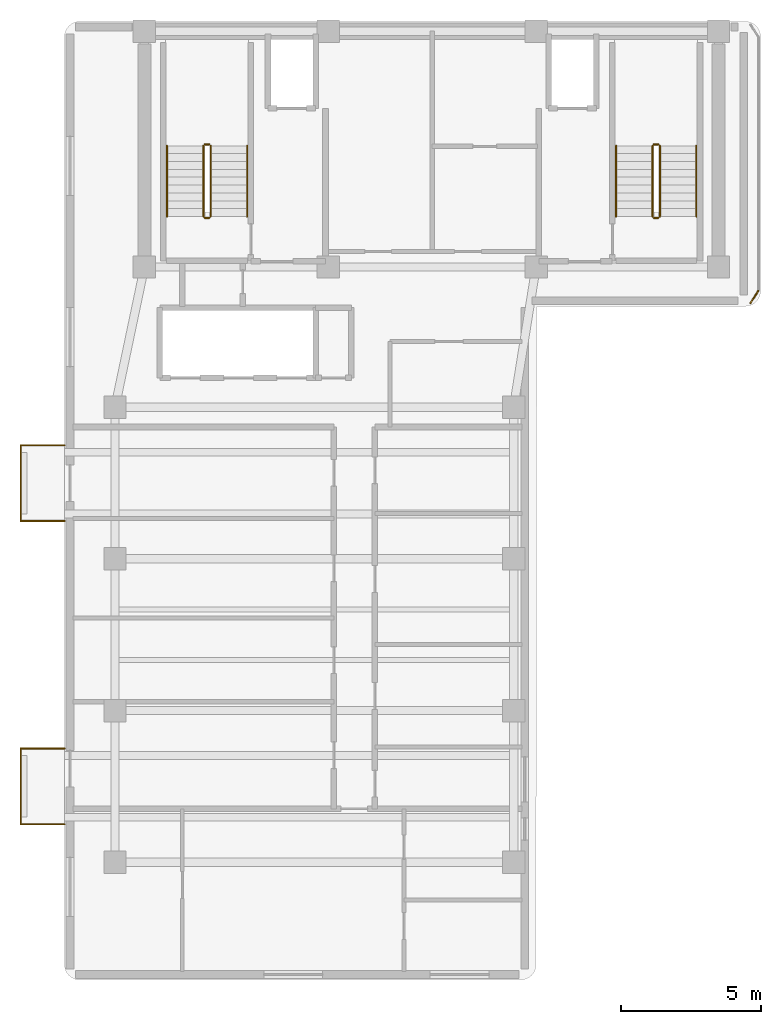
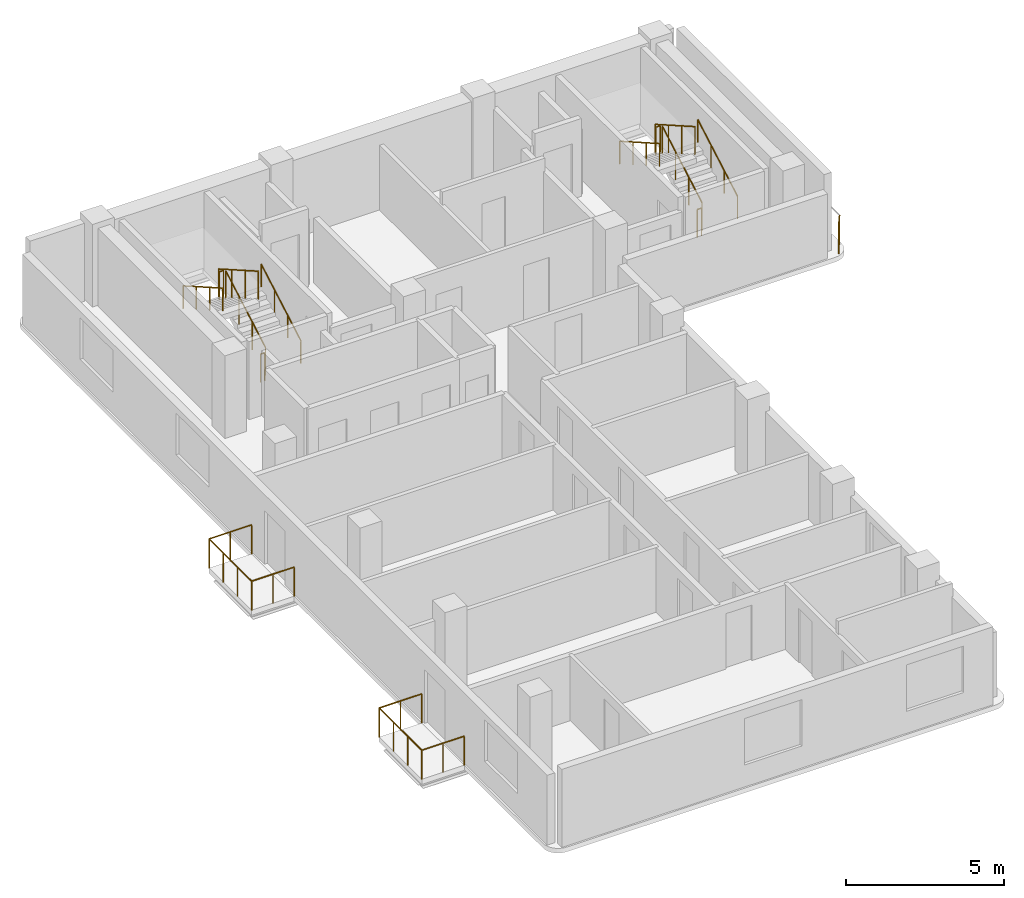
# One storey, part 4 of 5: 19 railings.
"""IFC4 building model written with IfcOpenShell, lengths in metres."""

from ifc_helpers import new_model, si_unit, direction, frame, origin, origin_2d, place, context, subcontext, project, spatial, circle, extrude, material, layer, layer_set, type_object, element, save


model = new_model("IFC4")

# Units and contexts
model_context = context("Model", 3, precision=1e-05, world=origin(), true_north=direction((0.0, 1.0)))
body_context = subcontext(model_context, "Body", "Model", "MODEL_VIEW")
ifc_project = project(units=[si_unit("LENGTHUNIT", "METRE"), si_unit("AREAUNIT", "SQUARE_METRE"), si_unit("VOLUMEUNIT", "CUBIC_METRE"), si_unit("PLANEANGLEUNIT", "RADIAN"), si_unit("MASSUNIT", "GRAM", prefix="KILO")], contexts=[model_context])

# Site, building, storey
site_placement = place(None, origin())
site = spatial("IfcSite", under=ifc_project, at=site_placement, CompositionType="ELEMENT")
building_placement = place(site_placement, origin())
building = spatial("IfcBuilding", under=site, at=building_placement, Name="Kuzgunbayir Cultural Tower", CompositionType="ELEMENT")
storey_placement = place(building_placement, frame((0.0, 0.0, 228.0)))
storey = spatial("IfcBuildingStorey", under=building, at=storey_placement, Name="L67", CompositionType="ELEMENT", Elevation=228.0)

# Railings
ifc_material_1 = material(Name="Laminated Glass and Stainless Steel", Category="steel")
ifc_layer_1 = layer(ifc_material_1, 0.080078125)
ifc_layer_set_1 = layer_set([ifc_layer_1], Name="Laminated Glass and Stainless Steel")
railing_type_1 = type_object("IfcRailingType", Name="RLG-BAL-115", PredefinedType="BALUSTRADE", material=ifc_layer_set_1)
railing_1_placement = place(storey_placement, frame((3.60009765625, 13.949951171875, 0.0)))
element("IfcRailing", 1, at=railing_1_placement, inside=storey, type_object=railing_type_1, Name="L67 Balcony Guard BAL-L67-WA1 Segment 1", PredefinedType="BALUSTRADE", context=body_context, shape_type="SweptSolid", body=[
    extrude(circle(Radius=0.02392578125, at=origin_2d()), frame((0.0, 0.0, 1.1259765625), z_axis=(-1.0, 0.0, 0.0), x_axis=(0.0, -1.0, 0.0)), (0.0, 0.0, 1.0), 1.56005859375),
    extrude(circle(Radius=0.02099609375, at=origin_2d()), origin(), (0.0, 0.0, 1.0), 1.101806640625),
    extrude(circle(Radius=0.02099609375, at=origin_2d()), frame((-0.780029296875, 0.0, 0.0)), (0.0, 0.0, 1.0), 1.101806640625),
    extrude(circle(Radius=0.02099609375, at=origin_2d()), frame((-1.56005859375, 0.0, 0.0)), (0.0, 0.0, 1.0), 1.101806640625),
])
railing_2_placement = place(storey_placement, frame((2.0400390625, 13.949951171875, 0.0)))
element("IfcRailing", 2, at=railing_2_placement, inside=storey, type_object=railing_type_1, Name="L67 Balcony Guard BAL-L67-WA1 Segment 2", PredefinedType="BALUSTRADE", context=body_context, shape_type="SweptSolid", body=[
    extrude(circle(Radius=0.02392578125, at=origin_2d()), frame((0.0, 0.0, 1.1259765625), z_axis=(0.0, 1.0, 0.0), x_axis=(-1.0, 0.0, 0.0)), (0.0, 0.0, 1.0), 2.699951171875),
    extrude(circle(Radius=0.02099609375, at=origin_2d()), origin(), (0.0, 0.0, 1.0), 1.101806640625),
    extrude(circle(Radius=0.02099609375, at=origin_2d()), frame((0.0, 0.89990234375, 0.0)), (0.0, 0.0, 1.0), 1.101806640625),
    extrude(circle(Radius=0.02099609375, at=origin_2d()), frame((0.0, 1.800048828125, 0.0)), (0.0, 0.0, 1.0), 1.101806640625),
    extrude(circle(Radius=0.02099609375, at=origin_2d()), frame((0.0, 2.699951171875, 0.0)), (0.0, 0.0, 1.0), 1.101806640625),
])
railing_3_placement = place(storey_placement, frame((2.0400390625, 16.64990234375, 0.0)))
element("IfcRailing", 3, at=railing_3_placement, inside=storey, type_object=railing_type_1, Name="L67 Balcony Guard BAL-L67-WA1 Segment 3", PredefinedType="BALUSTRADE", context=body_context, shape_type="SweptSolid", body=[
    extrude(circle(Radius=0.02392578125, at=origin_2d()), frame((0.0, 0.0, 1.1259765625), z_axis=(1.0, 0.0, 0.0), x_axis=(0.0, 1.0, 0.0)), (0.0, 0.0, 1.0), 1.56005859375),
    extrude(circle(Radius=0.02099609375, at=origin_2d()), origin(), (0.0, 0.0, 1.0), 1.101806640625),
    extrude(circle(Radius=0.02099609375, at=origin_2d()), frame((0.780029296875, 0.0, 0.0)), (0.0, 0.0, 1.0), 1.101806640625),
    extrude(circle(Radius=0.02099609375, at=origin_2d()), frame((1.56005859375, 0.0, 0.0)), (0.0, 0.0, 1.0), 1.101806640625),
])
railing_4_placement = place(storey_placement, frame((3.60009765625, 24.75, 0.0)))
element("IfcRailing", 4, at=railing_4_placement, inside=storey, type_object=railing_type_1, Name="L67 Balcony Guard BAL-L67-WA3 Segment 1", PredefinedType="BALUSTRADE", context=body_context, shape_type="SweptSolid", body=[
    extrude(circle(Radius=0.02392578125, at=origin_2d()), frame((0.0, 0.0, 1.1259765625), z_axis=(-1.0, 0.0, 0.0), x_axis=(0.0, -1.0, 0.0)), (0.0, 0.0, 1.0), 1.56005859375),
    extrude(circle(Radius=0.02099609375, at=origin_2d()), origin(), (0.0, 0.0, 1.0), 1.101806640625),
    extrude(circle(Radius=0.02099609375, at=origin_2d()), frame((-0.780029296875, 0.0, 0.0)), (0.0, 0.0, 1.0), 1.101806640625),
    extrude(circle(Radius=0.02099609375, at=origin_2d()), frame((-1.56005859375, 0.0, 0.0)), (0.0, 0.0, 1.0), 1.101806640625),
])
railing_5_placement = place(storey_placement, frame((2.0400390625, 24.75, 0.0)))
element("IfcRailing", 5, at=railing_5_placement, inside=storey, type_object=railing_type_1, Name="L67 Balcony Guard BAL-L67-WA3 Segment 2", PredefinedType="BALUSTRADE", context=body_context, shape_type="SweptSolid", body=[
    extrude(circle(Radius=0.02392578125, at=origin_2d()), frame((0.0, 0.0, 1.1259765625), z_axis=(0.0, 1.0, 0.0), x_axis=(-1.0, 0.0, 0.0)), (0.0, 0.0, 1.0), 2.699951171875),
    extrude(circle(Radius=0.02099609375, at=origin_2d()), origin(), (0.0, 0.0, 1.0), 1.101806640625),
    extrude(circle(Radius=0.02099609375, at=origin_2d()), frame((0.0, 0.89990234375, 0.0)), (0.0, 0.0, 1.0), 1.101806640625),
    extrude(circle(Radius=0.02099609375, at=origin_2d()), frame((0.0, 1.800048828125, 0.0)), (0.0, 0.0, 1.0), 1.101806640625),
    extrude(circle(Radius=0.02099609375, at=origin_2d()), frame((0.0, 2.699951171875, 0.0)), (0.0, 0.0, 1.0), 1.101806640625),
])
railing_6_placement = place(storey_placement, frame((2.0400390625, 27.449951171875, 0.0)))
element("IfcRailing", 6, at=railing_6_placement, inside=storey, type_object=railing_type_1, Name="L67 Balcony Guard BAL-L67-WA3 Segment 3", PredefinedType="BALUSTRADE", context=body_context, shape_type="SweptSolid", body=[
    extrude(circle(Radius=0.02392578125, at=origin_2d()), frame((0.0, 0.0, 1.1259765625), z_axis=(1.0, 0.0, 0.0), x_axis=(0.0, 1.0, 0.0)), (0.0, 0.0, 1.0), 1.56005859375),
    extrude(circle(Radius=0.02099609375, at=origin_2d()), origin(), (0.0, 0.0, 1.0), 1.101806640625),
    extrude(circle(Radius=0.02099609375, at=origin_2d()), frame((0.780029296875, 0.0, 0.0)), (0.0, 0.0, 1.0), 1.101806640625),
    extrude(circle(Radius=0.02099609375, at=origin_2d()), frame((1.56005859375, 0.0, 0.0)), (0.0, 0.0, 1.0), 1.101806640625),
])
railing_7_placement = place(storey_placement, frame((28.320068359375, 32.949951171875, 0.0)))
element("IfcRailing", 7, at=railing_7_placement, inside=storey, type_object=railing_type_1, Name="L67 Perimeter Edge Guard 3", PredefinedType="BALUSTRADE", context=body_context, shape_type="SweptSolid", body=[
    extrude(circle(Radius=0.02392578125, at=origin_2d()), frame((0.0, 0.0, 1.1259765625), z_axis=(-0.545774188207, -0.837932297675, 0.0), x_axis=(0.837932297675, -0.545774188207, 0.0)), (0.0, 0.0, 1.0), 0.51318359375),
    extrude(circle(Radius=0.02099609375, at=origin_2d()), origin(), (0.0, 0.0, 1.0), 1.101806640625),
    extrude(circle(Radius=0.02099609375, at=origin_2d()), frame((-0.280029296875, -0.429931640625, 0.0)), (0.0, 0.0, 1.0), 1.101806640625),
])
ifc_material_2 = material(Name="Brushed Stainless Steel", Category="steel")
ifc_layer_2 = layer(ifc_material_2, 0.050048828125)
ifc_layer_set_2 = layer_set([ifc_layer_2], Name="Brushed Stainless Steel")
railing_type_2 = type_object("IfcRailingType", Name="RLG-STAIR-HANDRAIL", PredefinedType="HANDRAIL", material=ifc_layer_set_2)
railing_8_placement = place(storey_placement, frame((10.110107421875, 35.60009765625, 0.159912109375)))
element("IfcRailing", 8, at=railing_8_placement, inside=storey, type_object=railing_type_2, Name="L67 ST-1 stair handrail 1", PredefinedType="HANDRAIL", context=body_context, shape_type="SweptSolid", body=[
    extrude(circle(Radius=0.02392578125, at=origin_2d()), frame((0.0, 0.0, 0.8759765625), z_axis=(0.0, 0.868217259934, 0.496184229447), x_axis=(-1.0, 0.0, 0.0)), (0.0, 0.0, 1.0), 2.902587890625),
    extrude(circle(Radius=0.02099609375, at=origin_2d()), origin(), (0.0, 0.0, 1.0), 0.851806640625),
    extrude(circle(Radius=0.02099609375, at=origin_2d()), frame((0.0, 0.840087890625, 0.47998046875)), (0.0, 0.0, 1.0), 0.851806640625),
    extrude(circle(Radius=0.02099609375, at=origin_2d()), frame((0.0, 1.679931640625, 0.960205078125)), (0.0, 0.0, 1.0), 0.851806640625),
    extrude(circle(Radius=0.02099609375, at=origin_2d()), frame((0.0, 2.52001953125, 1.440185546875)), (0.0, 0.0, 1.0), 0.851806640625),
])
railing_9_placement = place(storey_placement, frame((7.25, 38.1201171875, 1.760009765625)))
element("IfcRailing", 9, at=railing_9_placement, inside=storey, type_object=railing_type_2, Name="L67 ST-1 stair handrail 2", PredefinedType="HANDRAIL", context=body_context, shape_type="SweptSolid", body=[
    extrude(circle(Radius=0.02392578125, at=origin_2d()), frame((0.0, 0.0, 0.8759765625), z_axis=(0.0, -0.868253494771, 0.496120820787), x_axis=(1.0, 0.0, 0.0)), (0.0, 0.0, 1.0), 2.90234375),
    extrude(circle(Radius=0.02099609375, at=origin_2d()), origin(), (0.0, 0.0, 1.0), 0.851806640625),
    extrude(circle(Radius=0.02099609375, at=origin_2d()), frame((0.0, -0.840087890625, 0.47998046875)), (0.0, 0.0, 1.0), 0.851806640625),
    extrude(circle(Radius=0.02099609375, at=origin_2d()), frame((0.0, -1.679931640625, 0.9599609375)), (0.0, 0.0, 1.0), 0.851806640625),
    extrude(circle(Radius=0.02099609375, at=origin_2d()), frame((0.0, -2.52001953125, 1.43994140625)), (0.0, 0.0, 1.0), 0.851806640625),
])
railing_10_placement = place(storey_placement, frame((26.110107421875, 35.60009765625, 0.159912109375)))
element("IfcRailing", 10, at=railing_10_placement, inside=storey, type_object=railing_type_2, Name="L67 ST-2 stair handrail 1", PredefinedType="HANDRAIL", context=body_context, shape_type="SweptSolid", body=[
    extrude(circle(Radius=0.02392578125, at=origin_2d()), frame((0.0, 0.0, 0.8759765625), z_axis=(0.0, 0.868217259934, 0.496184229447), x_axis=(-1.0, 0.0, 0.0)), (0.0, 0.0, 1.0), 2.902587890625),
    extrude(circle(Radius=0.02099609375, at=origin_2d()), origin(), (0.0, 0.0, 1.0), 0.851806640625),
    extrude(circle(Radius=0.02099609375, at=origin_2d()), frame((0.0, 0.840087890625, 0.47998046875)), (0.0, 0.0, 1.0), 0.851806640625),
    extrude(circle(Radius=0.02099609375, at=origin_2d()), frame((0.0, 1.679931640625, 0.960205078125)), (0.0, 0.0, 1.0), 0.851806640625),
    extrude(circle(Radius=0.02099609375, at=origin_2d()), frame((0.0, 2.52001953125, 1.440185546875)), (0.0, 0.0, 1.0), 0.851806640625),
])
railing_11_placement = place(storey_placement, frame((23.25, 38.1201171875, 1.760009765625)))
element("IfcRailing", 11, at=railing_11_placement, inside=storey, type_object=railing_type_2, Name="L67 ST-2 stair handrail 2", PredefinedType="HANDRAIL", context=body_context, shape_type="SweptSolid", body=[
    extrude(circle(Radius=0.02392578125, at=origin_2d()), frame((0.0, 0.0, 0.8759765625), z_axis=(0.0, -0.868253494771, 0.496120820787), x_axis=(1.0, 0.0, 0.0)), (0.0, 0.0, 1.0), 2.90234375),
    extrude(circle(Radius=0.02099609375, at=origin_2d()), origin(), (0.0, 0.0, 1.0), 0.851806640625),
    extrude(circle(Radius=0.02099609375, at=origin_2d()), frame((0.0, -0.840087890625, 0.47998046875)), (0.0, 0.0, 1.0), 0.851806640625),
    extrude(circle(Radius=0.02099609375, at=origin_2d()), frame((0.0, -1.679931640625, 0.9599609375)), (0.0, 0.0, 1.0), 0.851806640625),
    extrude(circle(Radius=0.02099609375, at=origin_2d()), frame((0.0, -2.52001953125, 1.43994140625)), (0.0, 0.0, 1.0), 0.851806640625),
])
ifc_material_3 = material(Name="Painted Steel Balustrade", Category="steel")
ifc_layer_3 = layer(ifc_material_3, 0.06005859375)
ifc_layer_set_3 = layer_set([ifc_layer_3], Name="Painted Steel Balustrade")
railing_type_3 = type_object("IfcRailingType", Name="RLG-WELL-GUARD", PredefinedType="GUARDRAIL", material=ifc_layer_set_3)
railing_12_placement = place(storey_placement, frame((8.81005859375, 35.60009765625, 0.159912109375)))
element("IfcRailing", 12, at=railing_12_placement, inside=storey, type_object=railing_type_3, Name="L67 ST-1 stair guard 1", PredefinedType="GUARDRAIL", context=body_context, shape_type="SweptSolid", body=[
    extrude(circle(Radius=0.02392578125, at=origin_2d()), frame((0.0, 0.0, 1.076171875), z_axis=(0.0, 0.868217259934, 0.496184229447), x_axis=(-1.0, 0.0, 0.0)), (0.0, 0.0, 1.0), 2.902587890625),
    extrude(circle(Radius=0.02099609375, at=origin_2d()), origin(), (0.0, 0.0, 1.0), 1.052001953125),
    extrude(circle(Radius=0.02099609375, at=origin_2d()), frame((0.0, 0.840087890625, 0.47998046875)), (0.0, 0.0, 1.0), 1.052001953125),
    extrude(circle(Radius=0.02099609375, at=origin_2d()), frame((0.0, 1.679931640625, 0.960205078125)), (0.0, 0.0, 1.0), 1.052001953125),
    extrude(circle(Radius=0.02099609375, at=origin_2d()), frame((0.0, 2.52001953125, 1.440185546875)), (0.0, 0.0, 1.0), 1.052001953125),
])
railing_13_placement = place(storey_placement, frame((8.760009765625, 38.169921875, 1.60009765625)))
element("IfcRailing", 13, at=railing_13_placement, inside=storey, type_object=railing_type_3, Name="L67 ST-1 stair guard 2", PredefinedType="GUARDRAIL", context=body_context, shape_type="SweptSolid", body=[
    extrude(circle(Radius=0.02392578125, at=origin_2d()), frame((0.0, 0.0, 1.076171875), z_axis=(-1.0, 0.0, 0.0), x_axis=(0.0, -1.0, 0.0)), (0.0, 0.0, 1.0), 0.159912109375),
    extrude(circle(Radius=0.02099609375, at=origin_2d()), origin(), (0.0, 0.0, 1.0), 1.052001953125),
    extrude(circle(Radius=0.02099609375, at=origin_2d()), frame((-0.159912109375, 0.0, 0.0)), (0.0, 0.0, 1.0), 1.052001953125),
])
railing_14_placement = place(storey_placement, frame((8.550048828125, 38.1201171875, 1.760009765625)))
element("IfcRailing", 14, at=railing_14_placement, inside=storey, type_object=railing_type_3, Name="L67 ST-1 stair guard 3", PredefinedType="GUARDRAIL", context=body_context, shape_type="SweptSolid", body=[
    extrude(circle(Radius=0.02392578125, at=origin_2d()), frame((0.0, 0.0, 1.076171875), z_axis=(0.0, -0.868253494771, 0.496120820787), x_axis=(1.0, 0.0, 0.0)), (0.0, 0.0, 1.0), 2.90234375),
    extrude(circle(Radius=0.02099609375, at=origin_2d()), origin(), (0.0, 0.0, 1.0), 1.052001953125),
    extrude(circle(Radius=0.02099609375, at=origin_2d()), frame((0.0, -0.840087890625, 0.47998046875)), (0.0, 0.0, 1.0), 1.052001953125),
    extrude(circle(Radius=0.02099609375, at=origin_2d()), frame((0.0, -1.679931640625, 0.9599609375)), (0.0, 0.0, 1.0), 1.052001953125),
    extrude(circle(Radius=0.02099609375, at=origin_2d()), frame((0.0, -2.52001953125, 1.43994140625)), (0.0, 0.0, 1.0), 1.052001953125),
])
railing_15_placement = place(storey_placement, frame((8.760009765625, 35.550048828125, 0.0)))
element("IfcRailing", 15, at=railing_15_placement, inside=storey, type_object=railing_type_3, Name="L67 ST-1 stair guard 4", PredefinedType="GUARDRAIL", context=body_context, shape_type="SweptSolid", body=[
    extrude(circle(Radius=0.02392578125, at=origin_2d()), frame((0.0, 0.0, 1.076171875), z_axis=(-1.0, 0.0, 0.0), x_axis=(0.0, -1.0, 0.0)), (0.0, 0.0, 1.0), 0.159912109375),
    extrude(circle(Radius=0.02099609375, at=origin_2d()), origin(), (0.0, 0.0, 1.0), 1.052001953125),
    extrude(circle(Radius=0.02099609375, at=origin_2d()), frame((-0.159912109375, 0.0, 0.0)), (0.0, 0.0, 1.0), 1.052001953125),
])
railing_16_placement = place(storey_placement, frame((24.81005859375, 35.60009765625, 0.159912109375)))
element("IfcRailing", 16, at=railing_16_placement, inside=storey, type_object=railing_type_3, Name="L67 ST-2 stair guard 1", PredefinedType="GUARDRAIL", context=body_context, shape_type="SweptSolid", body=[
    extrude(circle(Radius=0.02392578125, at=origin_2d()), frame((0.0, 0.0, 1.076171875), z_axis=(0.0, 0.868217259934, 0.496184229447), x_axis=(-1.0, 0.0, 0.0)), (0.0, 0.0, 1.0), 2.902587890625),
    extrude(circle(Radius=0.02099609375, at=origin_2d()), origin(), (0.0, 0.0, 1.0), 1.052001953125),
    extrude(circle(Radius=0.02099609375, at=origin_2d()), frame((0.0, 0.840087890625, 0.47998046875)), (0.0, 0.0, 1.0), 1.052001953125),
    extrude(circle(Radius=0.02099609375, at=origin_2d()), frame((0.0, 1.679931640625, 0.960205078125)), (0.0, 0.0, 1.0), 1.052001953125),
    extrude(circle(Radius=0.02099609375, at=origin_2d()), frame((0.0, 2.52001953125, 1.440185546875)), (0.0, 0.0, 1.0), 1.052001953125),
])
railing_17_placement = place(storey_placement, frame((24.760009765625, 38.169921875, 1.60009765625)))
element("IfcRailing", 17, at=railing_17_placement, inside=storey, type_object=railing_type_3, Name="L67 ST-2 stair guard 2", PredefinedType="GUARDRAIL", context=body_context, shape_type="SweptSolid", body=[
    extrude(circle(Radius=0.02392578125, at=origin_2d()), frame((0.0, 0.0, 1.076171875), z_axis=(-1.0, 0.0, 0.0), x_axis=(0.0, -1.0, 0.0)), (0.0, 0.0, 1.0), 0.159912109375),
    extrude(circle(Radius=0.02099609375, at=origin_2d()), origin(), (0.0, 0.0, 1.0), 1.052001953125),
    extrude(circle(Radius=0.02099609375, at=origin_2d()), frame((-0.159912109375, 0.0, 0.0)), (0.0, 0.0, 1.0), 1.052001953125),
])
railing_18_placement = place(storey_placement, frame((24.550048828125, 38.1201171875, 1.760009765625)))
element("IfcRailing", 18, at=railing_18_placement, inside=storey, type_object=railing_type_3, Name="L67 ST-2 stair guard 3", PredefinedType="GUARDRAIL", context=body_context, shape_type="SweptSolid", body=[
    extrude(circle(Radius=0.02392578125, at=origin_2d()), frame((0.0, 0.0, 1.076171875), z_axis=(0.0, -0.868253494771, 0.496120820787), x_axis=(1.0, 0.0, 0.0)), (0.0, 0.0, 1.0), 2.90234375),
    extrude(circle(Radius=0.02099609375, at=origin_2d()), origin(), (0.0, 0.0, 1.0), 1.052001953125),
    extrude(circle(Radius=0.02099609375, at=origin_2d()), frame((0.0, -0.840087890625, 0.47998046875)), (0.0, 0.0, 1.0), 1.052001953125),
    extrude(circle(Radius=0.02099609375, at=origin_2d()), frame((0.0, -1.679931640625, 0.9599609375)), (0.0, 0.0, 1.0), 1.052001953125),
    extrude(circle(Radius=0.02099609375, at=origin_2d()), frame((0.0, -2.52001953125, 1.43994140625)), (0.0, 0.0, 1.0), 1.052001953125),
])
railing_19_placement = place(storey_placement, frame((24.760009765625, 35.550048828125, 0.0)))
element("IfcRailing", 19, at=railing_19_placement, inside=storey, type_object=railing_type_3, Name="L67 ST-2 stair guard 4", PredefinedType="GUARDRAIL", context=body_context, shape_type="SweptSolid", body=[
    extrude(circle(Radius=0.02392578125, at=origin_2d()), frame((0.0, 0.0, 1.076171875), z_axis=(-1.0, 0.0, 0.0), x_axis=(0.0, -1.0, 0.0)), (0.0, 0.0, 1.0), 0.159912109375),
    extrude(circle(Radius=0.02099609375, at=origin_2d()), origin(), (0.0, 0.0, 1.0), 1.052001953125),
    extrude(circle(Radius=0.02099609375, at=origin_2d()), frame((-0.159912109375, 0.0, 0.0)), (0.0, 0.0, 1.0), 1.052001953125),
])

save(model, "model.ifc")
